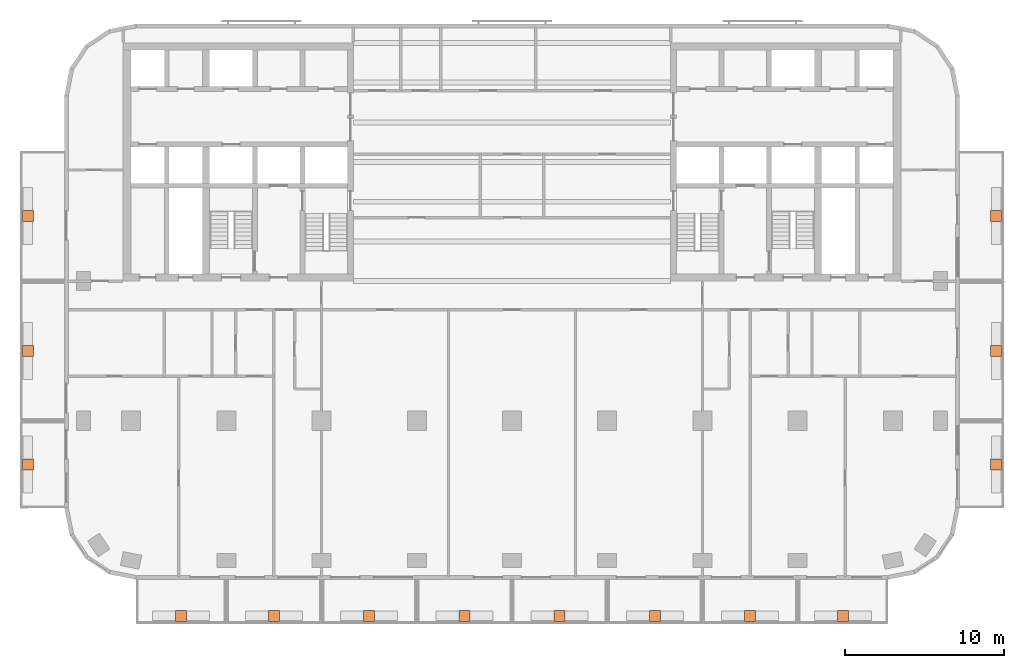
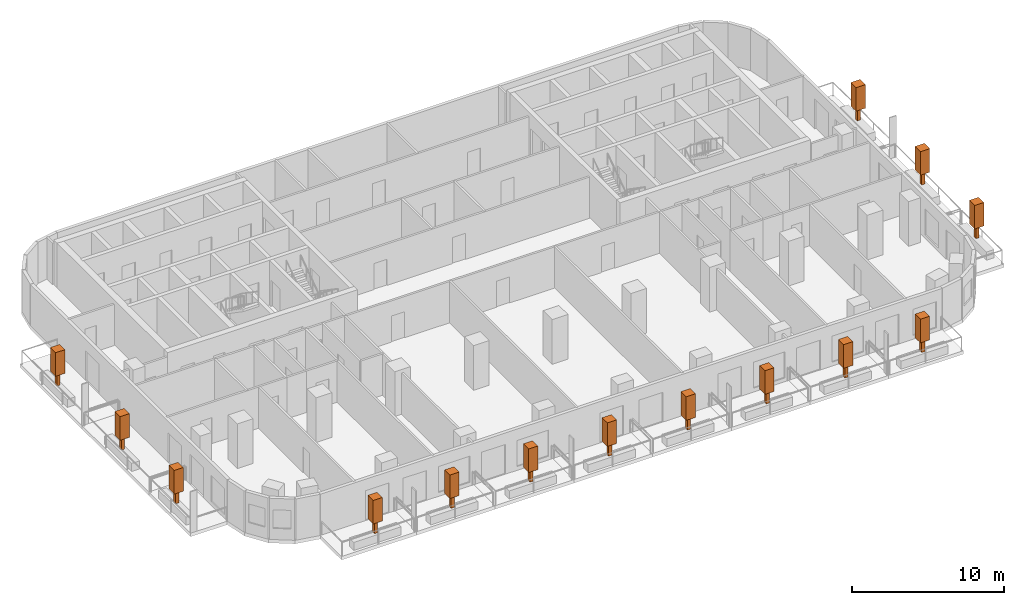
# One storey, part 11 of 11: 14 geographic elements.
"""IFC4 building model written with IfcOpenShell, lengths in metres."""

from ifc_helpers import new_model, si_unit, direction, frame, origin, origin_2d, place, context, subcontext, project, spatial, rectangle, extrude, material, element, save


model = new_model("IFC4")

# Units and contexts
model_context = context("Model", 3, precision=1e-05, world=origin(), true_north=direction((0.0, 1.0)))
body_context = subcontext(model_context, "Body", "Model", "MODEL_VIEW")
ifc_project = project(units=[si_unit("LENGTHUNIT", "METRE"), si_unit("AREAUNIT", "SQUARE_METRE"), si_unit("VOLUMEUNIT", "CUBIC_METRE"), si_unit("PLANEANGLEUNIT", "RADIAN"), si_unit("MASSUNIT", "GRAM", prefix="KILO")], contexts=[model_context])

# Site, building, storey
site_placement = place(None, origin())
site = spatial("IfcSite", under=ifc_project, at=site_placement, CompositionType="ELEMENT")
building_placement = place(site_placement, origin())
building = spatial("IfcBuilding", under=site, at=building_placement, Name="Torana Hotel and Residences", CompositionType="ELEMENT")
storey_placement = place(building_placement, frame((0.0, 0.0, 148.800048828125)))
storey = spatial("IfcBuildingStorey", under=building, at=storey_placement, Name="L38", CompositionType="ELEMENT", Elevation=148.800048828125)

# Geographic elements
ifc_material = material(Name="Foliage", Category="planting")
for number, where, z_axis, x_axis, name in (
    (1, (-20.85009765625, -36.10009765625, 0.64990234375), (0.0, 0.0, 1.0), (1.0, 0.0, 0.0), "Tree 01"),
    (2, (-15.0, -36.10009765625, 0.64990234375), (0.0, 0.0, 1.0), (1.0, 0.0, 0.0), "Tree 02"),
    (3, (-9.0, -36.10009765625, 0.64990234375), (0.0, 0.0, 1.0), (1.0, 0.0, 0.0), "Tree 03"),
    (4, (-3.0, -36.10009765625, 0.64990234375), (0.0, 0.0, 1.0), (1.0, 0.0, 0.0), "Tree 04"),
    (5, (3.0, -36.10009765625, 0.64990234375), (0.0, 0.0, 1.0), (1.0, 0.0, 0.0), "Tree 05"),
    (6, (9.0, -36.10009765625, 0.64990234375), (0.0, 0.0, 1.0), (1.0, 0.0, 0.0), "Tree 06"),
    (7, (15.0, -36.10009765625, 0.64990234375), (0.0, 0.0, 1.0), (1.0, 0.0, 0.0), "Tree 07"),
    (8, (20.85009765625, -36.10009765625, 0.64990234375), (0.0, 0.0, 1.0), (1.0, 0.0, 0.0), "Tree 08"),
    (9, (-30.5, -26.550048828125, 0.64990234375), (0.0, 0.0, 1.0), (1.0, 0.0, 0.0), "Tree 09"),
    (10, (-30.5, -19.39990234375, 0.64990234375), (0.0, 0.0, 1.0), (1.0, 0.0, 0.0), "Tree 10"),
    (11, (-30.5, -10.89990234375, 0.64990234375), (0.0, 0.0, 1.0), (1.0, 0.0, 0.0), "Tree 11"),
    (12, (30.5, -26.550048828125, 0.64990234375), (0.0, 0.0, 1.0), (1.0, 0.0, 0.0), "Tree 12"),
    (13, (30.5, -19.39990234375, 0.64990234375), (0.0, 0.0, 1.0), (1.0, 0.0, 0.0), "Tree 13"),
    (14, (30.5, -10.89990234375, 0.64990234375), (0.0, 0.0, 1.0), (1.0, 0.0, 0.0), "Tree 14"),
):
    element("IfcGeographicElement", number, at=place(storey_placement, frame(where, z_axis=z_axis, x_axis=x_axis)), inside=storey, material=ifc_material, Name=name, ObjectType="TREE", PredefinedType="USERDEFINED", context=body_context, shape_type="SweptSolid", body=[
        extrude(rectangle(XDim=0.25, YDim=0.25, at=origin_2d()), origin(), (0.0, 0.0, 1.0), 1.0),
        extrude(rectangle(XDim=0.699951171875, YDim=0.699951171875, at=origin_2d()), frame((0.0, 0.0, 1.0)), (0.0, 0.0, 1.0), 1.89990234375),
    ])

save(model, "model.ifc")
